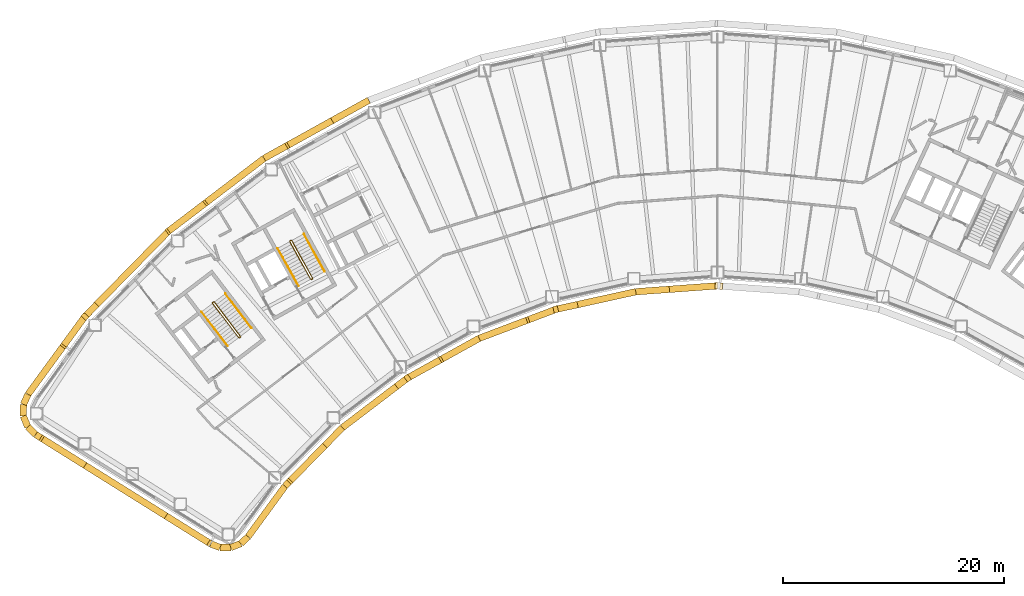
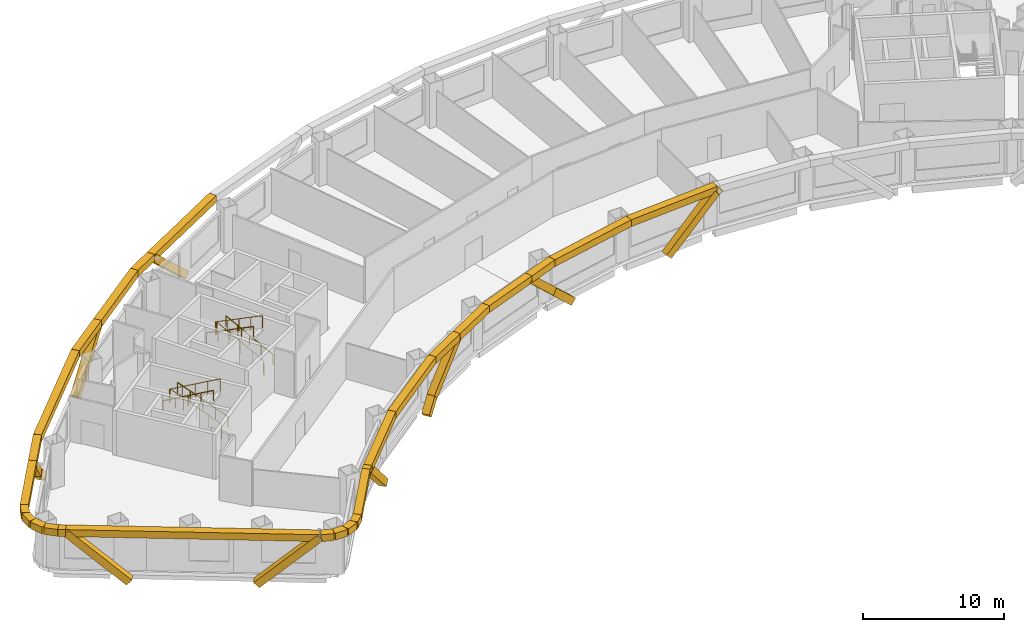
# One storey, part 13 of 16: 40 coverings, 6 railings.
"""IFC4 building model written with IfcOpenShell, lengths in metres."""

from ifc_helpers import new_model, si_unit, direction, frame, origin, origin_2d, place, context, subcontext, project, spatial, rectangle, circle, extrude, material, material_profile, profile_set, type_object, element, save


model = new_model("IFC4")

# Units and contexts
model_context = context("Model", 3, precision=1e-05, world=origin(), true_north=direction((0.0, 1.0)))
body_context = subcontext(model_context, "Body", "Model", "MODEL_VIEW")
ifc_project = project(units=[si_unit("LENGTHUNIT", "METRE"), si_unit("AREAUNIT", "SQUARE_METRE"), si_unit("VOLUMEUNIT", "CUBIC_METRE"), si_unit("PLANEANGLEUNIT", "RADIAN"), si_unit("MASSUNIT", "GRAM", prefix="KILO")], contexts=[model_context])

# Site, building, storey
site_placement = place(None, origin())
site = spatial("IfcSite", under=ifc_project, at=site_placement, CompositionType="ELEMENT")
building_placement = place(site_placement, origin())
building = spatial("IfcBuilding", under=site, at=building_placement, Name="Tuul Gate Civic Tower", CompositionType="ELEMENT")
storey_placement = place(building_placement, frame((0.0, 0.0, 124.5)))
storey = spatial("IfcBuildingStorey", under=building, at=storey_placement, Name="Level 28", CompositionType="ELEMENT", Elevation=124.5)

# Railings
ifc_material_1 = material(Name="Painted steel", Category="steel")
railing_type_1 = type_object("IfcRailingType", Name="Stair guard", PredefinedType="GUARDRAIL", material=ifc_material_1)
railing_1_placement = place(storey_placement, frame((-33.382080078125, -13.515380859375, 0.0)))
element("IfcRailing", 1, at=railing_1_placement, inside=storey, type_object=railing_type_1, Name="Level 28 ST-1 stair guard 1", PredefinedType="GUARDRAIL", context=body_context, shape_type="SweptSolid", body=[
    extrude(circle(Radius=0.02392578125, at=origin_2d()), frame((0.0, 0.0, 1.076171875), z_axis=(-0.795879841968, -0.605454603706, 0.0), x_axis=(0.605454603706, -0.795879841968, 0.0)), (0.0, 0.0, 1.0), 0.10009765625),
    extrude(circle(Radius=0.02392578125, at=origin_2d()), frame((-0.07958984375, -0.060546875, 1.076171875), z_axis=(0.408991890351, 0.599481263939, 0.688002796371), x_axis=(-0.826063974707, 0.563576356576, 0.0)), (0.0, 0.0, 1.0), 0.2177734375),
    extrude(circle(Radius=0.02392578125, at=origin_2d()), frame((0.009521484375, 0.070068359375, 1.22607421875), z_axis=(-0.541810893183, 0.711627203922, 0.44724454012), x_axis=(-0.795637165283, -0.60577347352, 0.0)), (0.0, 0.0, 1.0), 4.3603515625),
    extrude(circle(Radius=0.02392578125, at=origin_2d()), frame((-2.35302734375, 3.173095703125, 3.17626953125), z_axis=(-0.990893089246, 0.134650977284, 0.0), x_axis=(-0.134650977284, -0.990893089246, 0.0)), (0.0, 0.0, 1.0), 0.07080078125),
    extrude(circle(Radius=0.02392578125, at=origin_2d()), frame((-2.423095703125, 3.1826171875, 3.17626953125), z_axis=(-0.793802879778, -0.60817512943, 0.0), x_axis=(0.60817512943, -0.793802879778, 0.0)), (0.0, 0.0, 1.0), 0.099853515625),
    extrude(circle(Radius=0.02392578125, at=origin_2d()), frame((-2.50244140625, 3.121826171875, 3.17626953125), z_axis=(-0.057447065493, -0.422751481959, 0.904423031091), x_axis=(0.990893089246, -0.134650977284, 0.0)), (0.0, 0.0, 1.0), 0.165771484375),
    extrude(circle(Radius=0.02392578125, at=origin_2d()), frame((-2.511962890625, 3.0517578125, 3.326171875), z_axis=(0.541806494602, -0.71163897684, 0.447231136047), x_axis=(0.795644365679, 0.605764016233, 0.0)), (0.0, 0.0, 1.0), 4.360107421875),
    extrude(circle(Radius=0.02099609375, at=origin_2d()), origin(), (0.0, 0.0, 1.0), 1.052001953125),
    extrude(circle(Radius=0.02099609375, at=origin_2d()), frame((-0.07958984375, -0.060546875, 0.0)), (0.0, 0.0, 1.0), 1.052001953125),
    extrude(circle(Radius=0.02099609375, at=origin_2d()), frame((0.009521484375, 0.070068359375, 0.14990234375)), (0.0, 0.0, 1.0), 1.052001953125),
    extrude(circle(Radius=0.02099609375, at=origin_2d()), frame((-0.5810546875, 0.845703125, 0.637451171875)), (0.0, 0.0, 1.0), 1.052001953125),
    extrude(circle(Radius=0.02099609375, at=origin_2d()), frame((-1.171875, 1.62158203125, 1.125)), (0.0, 0.0, 1.0), 1.052001953125),
    extrude(circle(Radius=0.02099609375, at=origin_2d()), frame((-1.762451171875, 2.3974609375, 1.612548828125)), (0.0, 0.0, 1.0), 1.052001953125),
    extrude(circle(Radius=0.02099609375, at=origin_2d()), frame((-2.35302734375, 3.173095703125, 2.10009765625)), (0.0, 0.0, 1.0), 1.052001953125),
    extrude(circle(Radius=0.02099609375, at=origin_2d()), frame((-2.423095703125, 3.1826171875, 2.10009765625)), (0.0, 0.0, 1.0), 1.052001953125),
    extrude(circle(Radius=0.02099609375, at=origin_2d()), frame((-2.50244140625, 3.121826171875, 2.10009765625)), (0.0, 0.0, 1.0), 1.052001953125),
    extrude(circle(Radius=0.02099609375, at=origin_2d()), frame((-2.511962890625, 3.0517578125, 2.25)), (0.0, 0.0, 1.0), 1.052001953125),
    extrude(circle(Radius=0.02099609375, at=origin_2d()), frame((-1.92138671875, 2.276123046875, 2.737548828125)), (0.0, 0.0, 1.0), 1.052001953125),
    extrude(circle(Radius=0.02099609375, at=origin_2d()), frame((-1.330810546875, 1.50048828125, 3.22509765625)), (0.0, 0.0, 1.0), 1.052001953125),
    extrude(circle(Radius=0.02099609375, at=origin_2d()), frame((-0.740234375, 0.724609375, 3.71240234375)), (0.0, 0.0, 1.0), 1.052001953125),
    extrude(circle(Radius=0.02099609375, at=origin_2d()), frame((-0.149658203125, -0.051025390625, 4.199951171875)), (0.0, 0.0, 1.0), 1.052001953125),
])
railing_2_placement = place(storey_placement, frame((-26.857666015625, -8.247314453125, 0.0)))
element("IfcRailing", 2, at=railing_2_placement, inside=storey, type_object=railing_type_1, Name="Level 28 ST-2 stair guard 1", PredefinedType="GUARDRAIL", context=body_context, shape_type="SweptSolid", body=[
    extrude(circle(Radius=0.02392578125, at=origin_2d()), frame((0.0, 0.0, 1.076171875), z_axis=(-0.874616555828, -0.48481530532, 0.0), x_axis=(0.48481530532, -0.874616555828, 0.0)), (0.0, 0.0, 1.0), 0.10009765625),
    extrude(circle(Radius=0.02392578125, at=origin_2d()), frame((-0.087646484375, -0.048583984375, 1.076171875), z_axis=(0.49081399482, 0.534516610797, 0.688036056665), x_axis=(-0.736576986774, 0.676353711126, 0.0)), (0.0, 0.0, 1.0), 0.2177734375),
    extrude(circle(Radius=0.02392578125, at=origin_2d()), frame((0.019287109375, 0.06787109375, 1.22607421875), z_axis=(-0.433539057192, 0.782307594871, 0.447256875739), x_axis=(-0.874667644053, -0.484723129681, 0.0)), (0.0, 0.0, 1.0), 4.3603515625),
    extrude(circle(Radius=0.02392578125, at=origin_2d()), frame((-1.87109375, 3.47900390625, 3.17626953125), z_axis=(-0.961263487578, 0.275631107549, 0.0), x_axis=(-0.275631107549, -0.961263487578, 0.0)), (0.0, 0.0, 1.0), 0.07080078125),
    extrude(circle(Radius=0.02392578125, at=origin_2d()), frame((-1.939208984375, 3.49853515625, 3.17626953125), z_axis=(-0.874042088414, -0.485850211157, 0.0), x_axis=(0.485850211157, -0.874042088414, 0.0)), (0.0, 0.0, 1.0), 0.10009765625),
    extrude(circle(Radius=0.02392578125, at=origin_2d()), frame((-2.026611328125, 3.449951171875, 3.17626953125), z_axis=(-0.117866478395, -0.409586012422, 0.90462522168), x_axis=(0.961000426733, -0.276546885391, 0.0)), (0.0, 0.0, 1.0), 0.165771484375),
    extrude(circle(Radius=0.02392578125, at=origin_2d()), frame((-2.046142578125, 3.382080078125, 3.326171875), z_axis=(0.433595379963, -0.782308193291, 0.447201226726), x_axis=(0.874641102302, 0.484771020343, 0.0)), (0.0, 0.0, 1.0), 4.3603515625),
    extrude(circle(Radius=0.02099609375, at=origin_2d()), origin(), (0.0, 0.0, 1.0), 1.052001953125),
    extrude(circle(Radius=0.02099609375, at=origin_2d()), frame((-0.087646484375, -0.048583984375, 0.0)), (0.0, 0.0, 1.0), 1.052001953125),
    extrude(circle(Radius=0.02099609375, at=origin_2d()), frame((0.019287109375, 0.06787109375, 0.14990234375)), (0.0, 0.0, 1.0), 1.052001953125),
    extrude(circle(Radius=0.02099609375, at=origin_2d()), frame((-0.453369140625, 0.920654296875, 0.637451171875)), (0.0, 0.0, 1.0), 1.052001953125),
    extrude(circle(Radius=0.02099609375, at=origin_2d()), frame((-0.92578125, 1.7734375, 1.125)), (0.0, 0.0, 1.0), 1.052001953125),
    extrude(circle(Radius=0.02099609375, at=origin_2d()), frame((-1.3984375, 2.626220703125, 1.612548828125)), (0.0, 0.0, 1.0), 1.052001953125),
    extrude(circle(Radius=0.02099609375, at=origin_2d()), frame((-1.87109375, 3.47900390625, 2.10009765625)), (0.0, 0.0, 1.0), 1.052001953125),
    extrude(circle(Radius=0.02099609375, at=origin_2d()), frame((-1.939208984375, 3.49853515625, 2.10009765625)), (0.0, 0.0, 1.0), 1.052001953125),
    extrude(circle(Radius=0.02099609375, at=origin_2d()), frame((-2.026611328125, 3.449951171875, 2.10009765625)), (0.0, 0.0, 1.0), 1.052001953125),
    extrude(circle(Radius=0.02099609375, at=origin_2d()), frame((-2.046142578125, 3.382080078125, 2.25)), (0.0, 0.0, 1.0), 1.052001953125),
    extrude(circle(Radius=0.02099609375, at=origin_2d()), frame((-1.573486328125, 2.529296875, 2.737548828125)), (0.0, 0.0, 1.0), 1.052001953125),
    extrude(circle(Radius=0.02099609375, at=origin_2d()), frame((-1.100830078125, 1.676513671875, 3.22509765625)), (0.0, 0.0, 1.0), 1.052001953125),
    extrude(circle(Radius=0.02099609375, at=origin_2d()), frame((-0.628173828125, 0.82373046875, 3.71240234375)), (0.0, 0.0, 1.0), 1.052001953125),
    extrude(circle(Radius=0.02099609375, at=origin_2d()), frame((-0.155517578125, -0.029052734375, 4.199951171875)), (0.0, 0.0, 1.0), 1.052001953125),
])
ifc_material_2 = material(Name="Painted steel", Category="steel")
railing_type_2 = type_object("IfcRailingType", Name="Stair handrail", PredefinedType="HANDRAIL", material=ifc_material_2)
railing_3_placement = place(storey_placement, frame((-32.3779296875, -12.688232421875, 0.14990234375)))
element("IfcRailing", 3, at=railing_3_placement, inside=storey, type_object=railing_type_2, Name="Level 28 ST-1 stair handrail 1", PredefinedType="HANDRAIL", context=body_context, shape_type="SweptSolid", body=[
    extrude(circle(Radius=0.02392578125, at=origin_2d()), frame((0.0, 0.0, 0.8759765625), z_axis=(-0.541810893183, 0.711627203922, 0.44724454012), x_axis=(-0.795637165283, -0.60577347352, 0.0)), (0.0, 0.0, 1.0), 4.3603515625),
    extrude(circle(Radius=0.02099609375, at=origin_2d()), origin(), (0.0, 0.0, 1.0), 0.851806640625),
    extrude(circle(Radius=0.02099609375, at=origin_2d()), frame((-0.590576171875, 0.77587890625, 0.487548828125)), (0.0, 0.0, 1.0), 0.851806640625),
    extrude(circle(Radius=0.02099609375, at=origin_2d()), frame((-1.18115234375, 1.551513671875, 0.97509765625)), (0.0, 0.0, 1.0), 0.851806640625),
    extrude(circle(Radius=0.02099609375, at=origin_2d()), frame((-1.77197265625, 2.3271484375, 1.462646484375)), (0.0, 0.0, 1.0), 0.851806640625),
    extrude(circle(Radius=0.02099609375, at=origin_2d()), frame((-2.362548828125, 3.10302734375, 1.9501953125)), (0.0, 0.0, 1.0), 0.851806640625),
])
railing_4_placement = place(storey_placement, frame((-36.888671875, -11.220703125, 2.25)))
element("IfcRailing", 4, at=railing_4_placement, inside=storey, type_object=railing_type_2, Name="Level 28 ST-1 stair handrail 2", PredefinedType="HANDRAIL", context=body_context, shape_type="SweptSolid", body=[
    extrude(circle(Radius=0.02392578125, at=origin_2d()), frame((0.0, 0.0, 0.8759765625), z_axis=(0.541824460341, -0.711645023348, 0.447199748346), x_axis=(0.795637165283, 0.60577347352, 0.0)), (0.0, 0.0, 1.0), 4.3603515625),
    extrude(circle(Radius=0.02099609375, at=origin_2d()), origin(), (0.0, 0.0, 1.0), 0.851806640625),
    extrude(circle(Radius=0.02099609375, at=origin_2d()), frame((0.590576171875, -0.77587890625, 0.487548828125)), (0.0, 0.0, 1.0), 0.851806640625),
    extrude(circle(Radius=0.02099609375, at=origin_2d()), frame((1.18115234375, -1.551513671875, 0.97509765625)), (0.0, 0.0, 1.0), 0.851806640625),
    extrude(circle(Radius=0.02099609375, at=origin_2d()), frame((1.77197265625, -2.3271484375, 1.46240234375)), (0.0, 0.0, 1.0), 0.851806640625),
    extrude(circle(Radius=0.02099609375, at=origin_2d()), frame((2.362548828125, -3.10302734375, 1.949951171875)), (0.0, 0.0, 1.0), 0.851806640625),
])
railing_5_placement = place(storey_placement, frame((-25.744873046875, -7.573486328125, 0.14990234375)))
element("IfcRailing", 5, at=railing_5_placement, inside=storey, type_object=railing_type_2, Name="Level 28 ST-2 stair handrail 1", PredefinedType="HANDRAIL", context=body_context, shape_type="SweptSolid", body=[
    extrude(circle(Radius=0.02392578125, at=origin_2d()), frame((0.0, 0.0, 0.8759765625), z_axis=(-0.433584522764, 0.782288604346, 0.447246018574), x_axis=(-0.874641102302, -0.484771020343, 0.0)), (0.0, 0.0, 1.0), 4.3603515625),
    extrude(circle(Radius=0.02099609375, at=origin_2d()), origin(), (0.0, 0.0, 1.0), 0.851806640625),
    extrude(circle(Radius=0.02099609375, at=origin_2d()), frame((-0.47265625, 0.852783203125, 0.487548828125)), (0.0, 0.0, 1.0), 0.851806640625),
    extrude(circle(Radius=0.02099609375, at=origin_2d()), frame((-0.9453125, 1.70556640625, 0.97509765625)), (0.0, 0.0, 1.0), 0.851806640625),
    extrude(circle(Radius=0.02099609375, at=origin_2d()), frame((-1.41796875, 2.558349609375, 1.462646484375)), (0.0, 0.0, 1.0), 0.851806640625),
    extrude(circle(Radius=0.02099609375, at=origin_2d()), frame((-1.890625, 3.4111328125, 1.9501953125)), (0.0, 0.0, 1.0), 0.851806640625),
])
railing_6_placement = place(storey_placement, frame((-29.9970703125, -5.47119140625, 2.25)))
element("IfcRailing", 6, at=railing_6_placement, inside=storey, type_object=railing_type_2, Name="Level 28 ST-2 stair handrail 2", PredefinedType="HANDRAIL", context=body_context, shape_type="SweptSolid", body=[
    extrude(circle(Radius=0.02392578125, at=origin_2d()), frame((0.0, 0.0, 0.8759765625), z_axis=(0.433595379963, -0.782308193291, 0.447201226726), x_axis=(0.874641102302, 0.484771020343, 0.0)), (0.0, 0.0, 1.0), 4.3603515625),
    extrude(circle(Radius=0.02099609375, at=origin_2d()), origin(), (0.0, 0.0, 1.0), 0.851806640625),
    extrude(circle(Radius=0.02099609375, at=origin_2d()), frame((0.47265625, -0.852783203125, 0.487548828125)), (0.0, 0.0, 1.0), 0.851806640625),
    extrude(circle(Radius=0.02099609375, at=origin_2d()), frame((0.9453125, -1.70556640625, 0.97509765625)), (0.0, 0.0, 1.0), 0.851806640625),
    extrude(circle(Radius=0.02099609375, at=origin_2d()), frame((1.41796875, -2.558349609375, 1.46240234375)), (0.0, 0.0, 1.0), 0.851806640625),
    extrude(circle(Radius=0.02099609375, at=origin_2d()), frame((1.890625, -3.4111328125, 1.949951171875)), (0.0, 0.0, 1.0), 0.851806640625),
])

# Coverings
ifc_material_3 = material(Name="Terracotta baguette", Category="masonry")
ifc_material_profile = material_profile(ifc_material_3, rectangle(XDim=0.60009765625, YDim=0.60009765625, at=origin_2d()), Name="Terracotta baguette screen frame")
ifc_profile_set = profile_set([ifc_material_profile], Name="Terracotta baguette")
covering_type = type_object("IfcCoveringType", Name="Terracotta baguette screen frame", PredefinedType="CLADDING", material=ifc_profile_set)
covering_1_placement = place(storey_placement, frame((-25.244384765625, 5.990234375, -0.35009765625), z_axis=(-0.641767447324, -0.355734488062, 0.679402323781), x_axis=(0.484806475071, -0.874621450531, 0.0)))
element("IfcCovering", 7, at=covering_1_placement, inside=storey, type_object=covering_type, Name="Baguette 104", PredefinedType="CLADDING", context=body_context, shape_type="SweptSolid", body=[
    extrude(rectangle(XDim=0.60009765625, YDim=0.60009765625, at=origin_2d()), origin(), (0.0, 0.0, 1.0), 6.18212890625),
])
covering_2_placement = place(storey_placement, frame((-29.2119140625, 3.791015625, 3.85009765625), z_axis=(-0.874605814424, -0.484834682521, 0.0), x_axis=(0.484834682521, -0.874605814424, 0.0)))
element("IfcCovering", 8, at=covering_2_placement, inside=storey, type_object=covering_type, Name="Baguette 109", PredefinedType="CLADDING", context=body_context, shape_type="SweptSolid", body=[
    extrude(rectangle(XDim=0.60009765625, YDim=0.60009765625, at=origin_2d()), origin(), (0.0, 0.0, 1.0), 2.308837890625),
])
covering_3_placement = place(storey_placement, frame((-31.231201171875, 2.671630859375, 3.85009765625), z_axis=(-0.795608182255, -0.605811538623, 0.0), x_axis=(0.605811538623, -0.795608182255, 0.0)))
element("IfcCovering", 9, at=covering_3_placement, inside=storey, type_object=covering_type, Name="Baguette 110", PredefinedType="CLADDING", context=body_context, shape_type="SweptSolid", body=[
    extrude(rectangle(XDim=0.60009765625, YDim=0.60009765625, at=origin_2d()), origin(), (0.0, 0.0, 1.0), 6.763427734375),
])
covering_4_placement = place(storey_placement, frame((-36.6123046875, -1.42578125, 3.85009765625), z_axis=(-0.583787119333, -0.444512630538, -0.679412334737), x_axis=(0.60580385418, -0.795614033474, 0.0)))
element("IfcCovering", 10, at=covering_4_placement, inside=storey, type_object=covering_type, Name="Baguette 113", PredefinedType="CLADDING", context=body_context, shape_type="SweptSolid", body=[
    extrude(rectangle(XDim=0.60009765625, YDim=0.60009765625, at=origin_2d()), origin(), (0.0, 0.0, 1.0), 5.57080078125),
])
covering_5_placement = place(storey_placement, frame((-46.529296875, -10.701416015625, -0.35009765625), z_axis=(-0.513566023863, -0.524066194207, 0.679414868267), x_axis=(0.714225678888, -0.699915480338, 0.0)))
element("IfcCovering", 11, at=covering_5_placement, inside=storey, type_object=covering_type, Name="Baguette 127", PredefinedType="CLADDING", context=body_context, shape_type="SweptSolid", body=[
    extrude(rectangle(XDim=0.60009765625, YDim=0.60009765625, at=origin_2d()), origin(), (0.0, 0.0, 1.0), 1.8134765625),
])
covering_6_placement = place(storey_placement, frame((-47.460693359375, -11.65185546875, 0.882080078125), z_axis=(-0.433860947515, -0.59391857645, 0.677514134738), x_axis=(0.807492455087, -0.589877898363, 0.0)))
element("IfcCovering", 12, at=covering_6_placement, inside=storey, type_object=covering_type, Name="Baguette 128", PredefinedType="CLADDING", context=body_context, shape_type="SweptSolid", body=[
    extrude(rectangle(XDim=0.60009765625, YDim=0.60009765625, at=origin_2d()), origin(), (0.0, 0.0, 1.0), 4.380859375),
])
covering_7_placement = place(storey_placement, frame((-49.361328125, -14.253662109375, 3.85009765625), z_axis=(-0.58987667906, -0.807493345794, 0.0), x_axis=(0.807493345794, -0.58987667906, 0.0)))
element("IfcCovering", 13, at=covering_7_placement, inside=storey, type_object=covering_type, Name="Baguette 141", PredefinedType="CLADDING", context=body_context, shape_type="SweptSolid", body=[
    extrude(rectangle(XDim=0.60009765625, YDim=0.60009765625, at=origin_2d()), origin(), (0.0, 0.0, 1.0), 5.512939453125),
])
covering_8_placement = place(storey_placement, frame((-52.61328125, -18.705322265625, 3.85009765625), z_axis=(-0.411904289645, -0.911227115582, 0.0), x_axis=(0.911227115582, -0.411904289645, 0.0)))
element("IfcCovering", 14, at=covering_8_placement, inside=storey, type_object=covering_type, Name="Baguette 142", PredefinedType="CLADDING", context=body_context, shape_type="SweptSolid", body=[
    extrude(rectangle(XDim=0.60009765625, YDim=0.60009765625, at=origin_2d()), origin(), (0.0, 0.0, 1.0), 0.988525390625),
])
covering_9_placement = place(storey_placement, frame((-53.0205078125, -19.606201171875, 3.85009765625), z_axis=(-0.014657151856, -0.99989257818, 0.0), x_axis=(0.99989257818, -0.014657151856, 0.0)))
element("IfcCovering", 15, at=covering_9_placement, inside=storey, type_object=covering_type, Name="Baguette 143", PredefinedType="CLADDING", context=body_context, shape_type="SweptSolid", body=[
    extrude(rectangle(XDim=0.60009765625, YDim=0.60009765625, at=origin_2d()), origin(), (0.0, 0.0, 1.0), 1.06591796875),
])
covering_10_placement = place(storey_placement, frame((-53.0361328125, -20.672119140625, 3.85009765625), z_axis=(0.385590096332, -0.922670188968, 0.0), x_axis=(0.922670188968, 0.385590096332, 0.0)))
element("IfcCovering", 16, at=covering_10_placement, inside=storey, type_object=covering_type, Name="Baguette 144", PredefinedType="CLADDING", context=body_context, shape_type="SweptSolid", body=[
    extrude(rectangle(XDim=0.60009765625, YDim=0.60009765625, at=origin_2d()), origin(), (0.0, 0.0, 1.0), 1.06689453125),
])
covering_11_placement = place(storey_placement, frame((-52.624755859375, -21.656494140625, 3.85009765625), z_axis=(0.722255502574, -0.691626336255, 0.0), x_axis=(0.691626336255, 0.722255502574, 0.0)))
element("IfcCovering", 17, at=covering_11_placement, inside=storey, type_object=covering_type, Name="Baguette 145", PredefinedType="CLADDING", context=body_context, shape_type="SweptSolid", body=[
    extrude(rectangle(XDim=0.60009765625, YDim=0.60009765625, at=origin_2d()), origin(), (0.0, 0.0, 1.0), 0.98828125),
])
covering_12_placement = place(storey_placement, frame((-51.910888671875, -22.340087890625, 3.85009765625), z_axis=(0.848100314171, -0.529835688778, 0.0), x_axis=(0.529835688778, 0.848100314171, 0.0)))
element("IfcCovering", 18, at=covering_12_placement, inside=storey, type_object=covering_type, Name="Baguette 146", PredefinedType="CLADDING", context=body_context, shape_type="SweptSolid", body=[
    extrude(rectangle(XDim=0.60009765625, YDim=0.60009765625, at=origin_2d()), origin(), (0.0, 0.0, 1.0), 0.537841796875),
])
for number, where, z_axis, x_axis, name in (
    (19, (-51.454833984375, -22.625, 3.85009765625), (0.621641673437, -0.388451913854, -0.680196104421), (0.529926214669, 0.848043753002, 0.0), "Baguette 148"),
    (20, (-39.938720703125, -29.821044921875, -0.35009765625), (0.621665930985, -0.388442366569, 0.680179386712), (0.529901976461, 0.848058898511, 0.0), "Baguette 156"),
):
    element("IfcCovering", number, at=place(storey_placement, frame(where, z_axis=z_axis, x_axis=x_axis)), inside=storey, type_object=covering_type, Name=name, PredefinedType="CLADDING", context=body_context, shape_type="SweptSolid", body=[
        extrude(rectangle(XDim=0.60009765625, YDim=0.60009765625, at=origin_2d()), origin(), (0.0, 0.0, 1.0), 6.175048828125),
    ])
covering_13_placement = place(storey_placement, frame((-36.0556640625, -32.247314453125, 3.85009765625), z_axis=(0.931801188997, -0.362969067807, 0.0), x_axis=(0.362969067807, 0.931801188997, 0.0)))
element("IfcCovering", 21, at=covering_13_placement, inside=storey, type_object=covering_type, Name="Baguette 172", PredefinedType="CLADDING", context=body_context, shape_type="SweptSolid", body=[
    extrude(rectangle(XDim=0.60009765625, YDim=0.60009765625, at=origin_2d()), origin(), (0.0, 0.0, 1.0), 0.9013671875),
])
covering_14_placement = place(storey_placement, frame((-35.2158203125, -32.574462890625, 3.85009765625), z_axis=(0.99999546609, 0.003011278693, 0.0), x_axis=(-0.003011278693, 0.99999546609, 0.0)))
element("IfcCovering", 22, at=covering_14_placement, inside=storey, type_object=covering_type, Name="Baguette 173", PredefinedType="CLADDING", context=body_context, shape_type="SweptSolid", body=[
    extrude(rectangle(XDim=0.60009765625, YDim=0.60009765625, at=origin_2d()), origin(), (0.0, 0.0, 1.0), 0.972900390625),
])
covering_15_placement = place(storey_placement, frame((-34.242919921875, -32.571533203125, 3.85009765625), z_axis=(0.929715491451, 0.368278569775, 0.0), x_axis=(-0.368278569775, 0.929715491451, 0.0)))
element("IfcCovering", 23, at=covering_15_placement, inside=storey, type_object=covering_type, Name="Baguette 174", PredefinedType="CLADDING", context=body_context, shape_type="SweptSolid", body=[
    extrude(rectangle(XDim=0.60009765625, YDim=0.60009765625, at=origin_2d()), origin(), (0.0, 0.0, 1.0), 0.974609375),
])
covering_16_placement = place(storey_placement, frame((-33.3369140625, -32.212646484375, 3.85009765625), z_axis=(0.729233015542, 0.684265452177, 0.0), x_axis=(-0.684265452177, 0.729233015542, 0.0)))
element("IfcCovering", 24, at=covering_16_placement, inside=storey, type_object=covering_type, Name="Baguette 175", PredefinedType="CLADDING", context=body_context, shape_type="SweptSolid", body=[
    extrude(rectangle(XDim=0.60009765625, YDim=0.60009765625, at=origin_2d()), origin(), (0.0, 0.0, 1.0), 0.9013671875),
])
covering_17_placement = place(storey_placement, frame((-32.6796875, -31.595947265625, 3.85009765625), z_axis=(0.589834173265, 0.807524394708, 0.0), x_axis=(-0.807524394708, 0.589834173265, 0.0)))
element("IfcCovering", 25, at=covering_17_placement, inside=storey, type_object=covering_type, Name="Baguette 176", PredefinedType="CLADDING", context=body_context, shape_type="SweptSolid", body=[
    extrude(rectangle(XDim=0.60009765625, YDim=0.60009765625, at=origin_2d()), origin(), (0.0, 0.0, 1.0), 5.67138671875),
])
covering_18_placement = place(storey_placement, frame((-29.33447265625, -27.01611328125, 3.85009765625), z_axis=(0.70038659818, 0.713763695553, 0.0), x_axis=(-0.713763695553, 0.70038659818, 0.0)))
element("IfcCovering", 26, at=covering_18_placement, inside=storey, type_object=covering_type, Name="Baguette 177", PredefinedType="CLADDING", context=body_context, shape_type="SweptSolid", body=[
    extrude(rectangle(XDim=0.60009765625, YDim=0.60009765625, at=origin_2d()), origin(), (0.0, 0.0, 1.0), 0.510986328125),
])
covering_19_placement = place(storey_placement, frame((-28.9765625, -26.6513671875, 3.85009765625), z_axis=(0.507746851471, 0.518029825531, -0.688359088472), x_axis=(-0.714159342562, 0.699983166534, 0.0)))
element("IfcCovering", 27, at=covering_19_placement, inside=storey, type_object=covering_type, Name="Baguette 179", PredefinedType="CLADDING", context=body_context, shape_type="SweptSolid", body=[
    extrude(rectangle(XDim=0.60009765625, YDim=0.60009765625, at=origin_2d()), origin(), (0.0, 0.0, 1.0), 6.101806640625),
])
covering_20_placement = place(storey_placement, frame((-19.072998046875, -17.85888671875, -0.35009765625), z_axis=(0.577026888198, 0.439365725539, 0.688474930203), x_axis=(-0.605804319563, 0.795613679118, 0.0)))
element("IfcCovering", 28, at=covering_20_placement, inside=storey, type_object=covering_type, Name="Baguette 192", PredefinedType="CLADDING", context=body_context, shape_type="SweptSolid", body=[
    extrude(rectangle(XDim=0.60009765625, YDim=0.60009765625, at=origin_2d()), origin(), (0.0, 0.0, 1.0), 1.443603515625),
])
covering_21_placement = place(storey_placement, frame((-18.239990234375, -17.224609375, 0.643798828125), z_axis=(0.634447543782, 0.351684677305, 0.688327103882), x_axis=(-0.484814535544, 0.874616982527, 0.0)))
element("IfcCovering", 29, at=covering_21_placement, inside=storey, type_object=covering_type, Name="Baguette 193", PredefinedType="CLADDING", context=body_context, shape_type="SweptSolid", body=[
    extrude(rectangle(XDim=0.60009765625, YDim=0.60009765625, at=origin_2d()), origin(), (0.0, 0.0, 1.0), 4.658203125),
])
covering_22_placement = place(storey_placement, frame((-15.28466796875, -15.58642578125, 3.85009765625), z_axis=(0.874641542533, 0.484770226062, 0.0), x_axis=(-0.484770226062, 0.874641542533, 0.0)))
element("IfcCovering", 30, at=covering_22_placement, inside=storey, type_object=covering_type, Name="Baguette 198", PredefinedType="CLADDING", context=body_context, shape_type="SweptSolid", body=[
    extrude(rectangle(XDim=0.60009765625, YDim=0.60009765625, at=origin_2d()), origin(), (0.0, 0.0, 1.0), 4.0390625),
])
covering_23_placement = place(storey_placement, frame((-11.751953125, -13.62841796875, 3.85009765625), z_axis=(0.935352040311, 0.353718193887, 0.0), x_axis=(-0.353718193887, 0.935352040311, 0.0)))
element("IfcCovering", 31, at=covering_23_placement, inside=storey, type_object=covering_type, Name="Baguette 199", PredefinedType="CLADDING", context=body_context, shape_type="SweptSolid", body=[
    extrude(rectangle(XDim=0.60009765625, YDim=0.60009765625, at=origin_2d()), origin(), (0.0, 0.0, 1.0), 4.812744140625),
])
covering_24_placement = place(storey_placement, frame((-7.250244140625, -11.926025390625, 3.85009765625), z_axis=(0.678494164427, 0.25655114483, -0.688351057909), x_axis=(-0.353679388764, 0.935366714163, 0.0)))
element("IfcCovering", 32, at=covering_24_placement, inside=storey, type_object=covering_type, Name="Baguette 202", PredefinedType="CLADDING", context=body_context, shape_type="SweptSolid", body=[
    extrude(rectangle(XDim=0.60009765625, YDim=0.60009765625, at=origin_2d()), origin(), (0.0, 0.0, 1.0), 3.591552734375),
])
covering_25_placement = place(storey_placement, frame((-4.8134765625, -11.004638671875, 1.3779296875), z_axis=(0.708336370987, 0.156100490929, -0.688398302052), x_axis=(-0.215212210255, 0.976567306721, 0.0)))
element("IfcCovering", 33, at=covering_25_placement, inside=storey, type_object=covering_type, Name="Baguette 203", PredefinedType="CLADDING", context=body_context, shape_type="SweptSolid", body=[
    extrude(rectangle(XDim=0.60009765625, YDim=0.60009765625, at=origin_2d()), origin(), (0.0, 0.0, 1.0), 2.51025390625),
])
covering_26_placement = place(storey_placement, frame((5.677001953125, -9.17333984375, -0.35009765625), z_axis=(0.723488806877, 0.052324997499, 0.688350231321), x_axis=(-0.07213475166, 0.997394895517, 0.0)))
element("IfcCovering", 34, at=covering_26_placement, inside=storey, type_object=covering_type, Name="Baguette 218", PredefinedType="CLADDING", context=body_context, shape_type="SweptSolid", body=[
    extrude(rectangle(XDim=0.60009765625, YDim=0.60009765625, at=origin_2d()), origin(), (0.0, 0.0, 1.0), 5.739013671875),
])
covering_27_placement = place(storey_placement, frame((9.8291015625, -8.873046875, 3.600341796875), z_axis=(0.723116088357, -0.051843518439, 0.688778173547), x_axis=(0.071511047668, 0.997439807738, 0.0)))
element("IfcCovering", 35, at=covering_27_placement, inside=storey, type_object=covering_type, Name="Baguette 219", PredefinedType="CLADDING", context=body_context, shape_type="SweptSolid", body=[
    extrude(rectangle(XDim=0.60009765625, YDim=0.60009765625, at=origin_2d()), origin(), (0.0, 0.0, 1.0), 0.362548828125),
])
covering_28_placement = place(storey_placement, frame((-21.7412109375, 7.932373046875, 3.85009765625), z_axis=(-0.874605853988, -0.48483461115, 0.0), x_axis=(0.48483461115, -0.874605853988, 0.0)))
element("IfcCovering", 36, at=covering_28_placement, inside=storey, type_object=covering_type, Name="Baguette 424", PredefinedType="CLADDING", context=body_context, shape_type="SweptSolid", body=[
    extrude(rectangle(XDim=0.60009765625, YDim=0.60009765625, at=origin_2d()), origin(), (0.0, 0.0, 1.0), 8.541748046875),
])
covering_29_placement = place(storey_placement, frame((-36.6123046875, -1.42578125, 3.85009765625), z_axis=(-0.795614033474, -0.60580385418, 0.0), x_axis=(0.60580385418, -0.795614033474, 0.0)))
element("IfcCovering", 37, at=covering_29_placement, inside=storey, type_object=covering_type, Name="Baguette 425", PredefinedType="CLADDING", context=body_context, shape_type="SweptSolid", body=[
    extrude(rectangle(XDim=0.60009765625, YDim=0.60009765625, at=origin_2d()), origin(), (0.0, 0.0, 1.0), 4.087646484375),
])
covering_30_placement = place(storey_placement, frame((-39.864501953125, -3.902099609375, 3.85009765625), z_axis=(-0.699995829294, -0.71414693094, 0.0), x_axis=(0.71414693094, -0.699995829294, 0.0)))
element("IfcCovering", 38, at=covering_30_placement, inside=storey, type_object=covering_type, Name="Baguette 426", PredefinedType="CLADDING", context=body_context, shape_type="SweptSolid", body=[
    extrude(rectangle(XDim=0.60009765625, YDim=0.60009765625, at=origin_2d()), origin(), (0.0, 0.0, 1.0), 10.851806640625),
])
covering_31_placement = place(storey_placement, frame((-47.460693359375, -11.65185546875, 3.85009765625), z_axis=(-0.589877898363, -0.807492455087, 0.0), x_axis=(0.807492455087, -0.589877898363, 0.0)))
element("IfcCovering", 39, at=covering_31_placement, inside=storey, type_object=covering_type, Name="Baguette 427", PredefinedType="CLADDING", context=body_context, shape_type="SweptSolid", body=[
    extrude(rectangle(XDim=0.60009765625, YDim=0.60009765625, at=origin_2d()), origin(), (0.0, 0.0, 1.0), 3.22216796875),
])
covering_32_placement = place(storey_placement, frame((-51.454833984375, -22.625, 3.85009765625), z_axis=(0.848051326016, -0.529914095342, 0.0), x_axis=(0.529914095342, 0.848051326016, 0.0)))
element("IfcCovering", 40, at=covering_32_placement, inside=storey, type_object=covering_type, Name="Baguette 428", PredefinedType="CLADDING", context=body_context, shape_type="SweptSolid", body=[
    extrude(rectangle(XDim=0.60009765625, YDim=0.60009765625, at=origin_2d()), origin(), (0.0, 0.0, 1.0), 18.106201171875),
])
covering_33_placement = place(storey_placement, frame((-28.9765625, -26.6513671875, 3.85009765625), z_axis=(0.70002016801, 0.714123073692, 0.0), x_axis=(-0.714123073692, 0.70002016801, 0.0)))
element("IfcCovering", 41, at=covering_33_placement, inside=storey, type_object=covering_type, Name="Baguette 429", PredefinedType="CLADDING", context=body_context, shape_type="SweptSolid", body=[
    extrude(rectangle(XDim=0.60009765625, YDim=0.60009765625, at=origin_2d()), origin(), (0.0, 0.0, 1.0), 6.9072265625),
])
covering_34_placement = place(storey_placement, frame((-24.141357421875, -21.71875, 3.85009765625), z_axis=(0.795570717168, 0.605860738111, 0.0), x_axis=(-0.605860738111, 0.795570717168, 0.0)))
element("IfcCovering", 42, at=covering_34_placement, inside=storey, type_object=covering_type, Name="Baguette 430", PredefinedType="CLADDING", context=body_context, shape_type="SweptSolid", body=[
    extrude(rectangle(XDim=0.60009765625, YDim=0.60009765625, at=origin_2d()), origin(), (0.0, 0.0, 1.0), 7.417724609375),
])
covering_35_placement = place(storey_placement, frame((-18.239990234375, -17.224609375, 3.85009765625), z_axis=(0.874616982527, 0.484814535544, 0.0), x_axis=(-0.484814535544, 0.874616982527, 0.0)))
element("IfcCovering", 43, at=covering_35_placement, inside=storey, type_object=covering_type, Name="Baguette 431", PredefinedType="CLADDING", context=body_context, shape_type="SweptSolid", body=[
    extrude(rectangle(XDim=0.60009765625, YDim=0.60009765625, at=origin_2d()), origin(), (0.0, 0.0, 1.0), 3.37890625),
])
covering_36_placement = place(storey_placement, frame((-7.250244140625, -11.926025390625, 3.85009765625), z_axis=(0.935366714163, 0.353679388764, 0.0), x_axis=(-0.353679388764, 0.935366714163, 0.0)))
element("IfcCovering", 44, at=covering_36_placement, inside=storey, type_object=covering_type, Name="Baguette 432", PredefinedType="CLADDING", context=body_context, shape_type="SweptSolid", body=[
    extrude(rectangle(XDim=0.60009765625, YDim=0.60009765625, at=origin_2d()), origin(), (0.0, 0.0, 1.0), 2.605224609375),
])
covering_37_placement = place(storey_placement, frame((-4.8134765625, -11.004638671875, 3.85009765625), z_axis=(0.976565804128, 0.215219028452, 0.0), x_axis=(-0.215219028452, 0.976565804128, 0.0)))
element("IfcCovering", 45, at=covering_37_placement, inside=storey, type_object=covering_type, Name="Baguette 433", PredefinedType="CLADDING", context=body_context, shape_type="SweptSolid", body=[
    extrude(rectangle(XDim=0.60009765625, YDim=0.60009765625, at=origin_2d()), origin(), (0.0, 0.0, 1.0), 7.417724609375),
])
covering_38_placement = place(storey_placement, frame((2.430419921875, -9.408203125, 3.85009765625), z_axis=(0.997394311548, 0.072142825637, 0.0), x_axis=(-0.072142825637, 0.997394311548, 0.0)))
element("IfcCovering", 46, at=covering_38_placement, inside=storey, type_object=covering_type, Name="Baguette 434", PredefinedType="CLADDING", context=body_context, shape_type="SweptSolid", body=[
    extrude(rectangle(XDim=0.60009765625, YDim=0.60009765625, at=origin_2d()), origin(), (0.0, 0.0, 1.0), 7.41796875),
])

save(model, "model.ifc")
